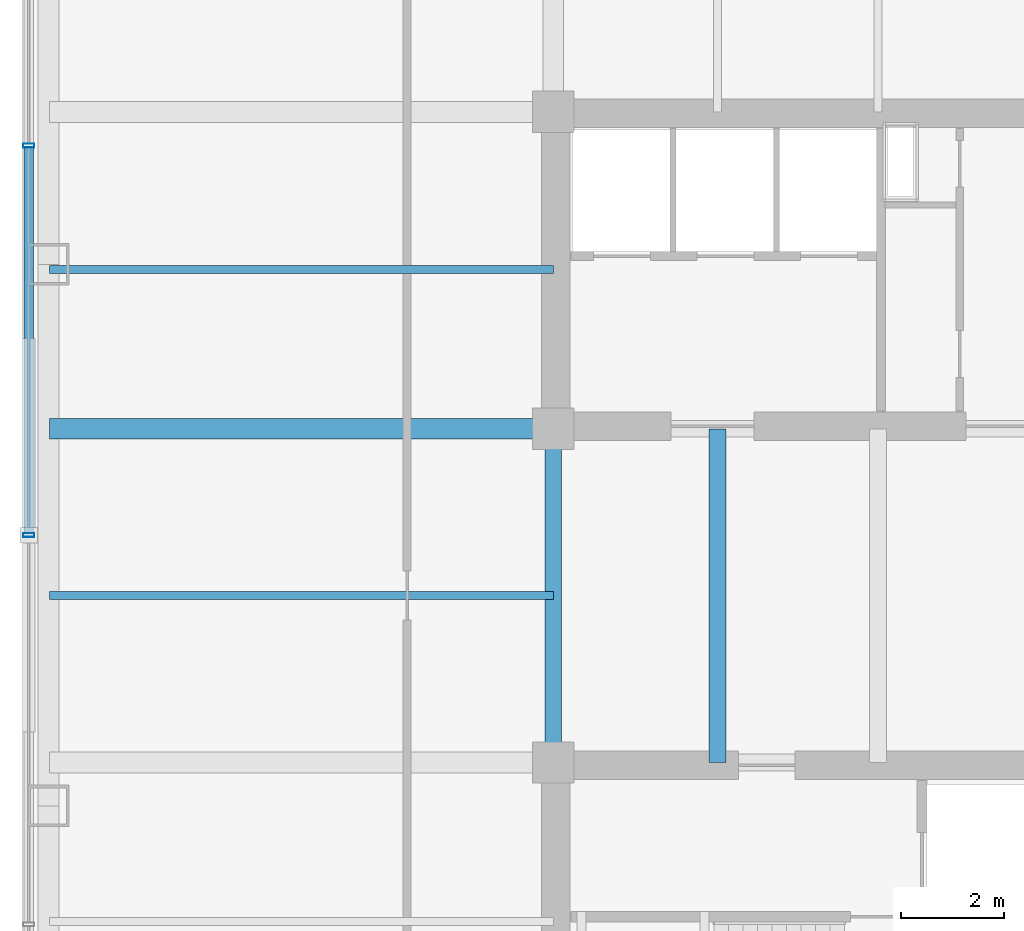
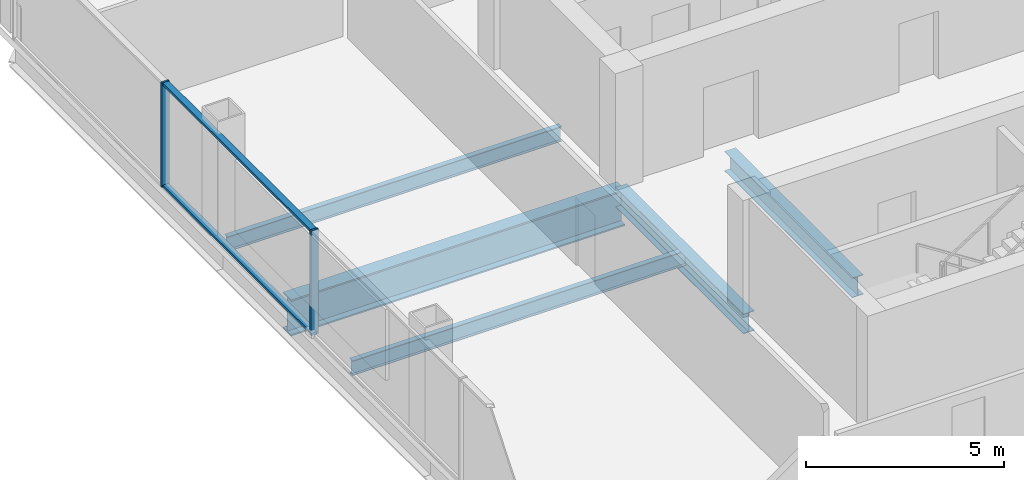
# One storey, part 7 of 24: 5 beams, 4 members, 1 element without a shape of its own.
"""IFC4 building model written with IfcOpenShell, lengths in metres."""

from ifc_helpers import new_model, si_unit, direction, frame, origin, origin_2d, place, context, subcontext, project, spatial, hollow_rectangle, i_section, extrude, material, layer, layer_set, material_profile, profile_set, type_object, element, aggregate, save


model = new_model("IFC4")

# Units and contexts
model_context = context("Model", 3, precision=1e-05, world=origin(), true_north=direction((0.0, 1.0)))
body_context = subcontext(model_context, "Body", "Model", "MODEL_VIEW")
ifc_project = project(units=[si_unit("LENGTHUNIT", "METRE"), si_unit("AREAUNIT", "SQUARE_METRE"), si_unit("VOLUMEUNIT", "CUBIC_METRE"), si_unit("PLANEANGLEUNIT", "RADIAN"), si_unit("MASSUNIT", "GRAM", prefix="KILO")], contexts=[model_context])

# Site, building, storey
site_placement = place(None, origin())
site = spatial("IfcSite", under=ifc_project, at=site_placement, CompositionType="ELEMENT")
building_placement = place(site_placement, origin())
building = spatial("IfcBuilding", under=site, at=building_placement, Name="Qhalaya Broadcast Tower", CompositionType="ELEMENT")
storey_placement = place(building_placement, frame((0.0, 0.0, 61.5)))
storey = spatial("IfcBuildingStorey", under=building, at=storey_placement, Name="L17", CompositionType="ELEMENT", Elevation=61.5)

# Beams
ifc_material_1 = material(Name="Structural Steel ASTM A992 Grade 50", Category="steel")
ifc_material_profile_1 = material_profile(ifc_material_1, i_section(OverallWidth=0.154052734375, OverallDepth=0.458984375, WebThickness=0.009033203125, FlangeThickness=0.015380859375, at=origin_2d()), Name="W18X46")
ifc_profile_set_1 = profile_set([ifc_material_profile_1], Name="Structural Steel ASTM A992 Grade 50")
beam_type_1 = type_object("IfcBeamType", Name="Composite Floor Joist J04", PredefinedType="JOIST", material=ifc_profile_set_1)
for number, where, z_axis, x_axis, name in (
    (1, (-19.110107421875, 0.60009765625, -0.449462890625), (1.0, 0.0, 0.0), (0.0, 1.0, 0.0), "L17 J04 L17-JWE4W-1"),
    (2, (-19.110107421875, 6.89990234375, -0.449462890625), (1.0, 0.0, 0.0), (0.0, 1.0, 0.0), "L17 J04 L17-JWE5W-1"),
):
    element("IfcBeam", number, at=place(storey_placement, frame(where, z_axis=z_axis, x_axis=x_axis)), inside=storey, type_object=beam_type_1, Name=name, PredefinedType="JOIST", context=body_context, shape_type="SweptSolid", body=[
        extrude(i_section(OverallWidth=0.154052734375, OverallDepth=0.458984375, WebThickness=0.009033203125, FlangeThickness=0.015380859375, at=origin_2d()), origin(), (0.0, 0.0, 1.0), 9.735107421875),
    ])
ifc_material_profile_2 = material_profile(ifc_material_1, i_section(OverallWidth=0.323974609375, OverallDepth=0.612060546875, WebThickness=0.0126953125, FlangeThickness=0.01904296875, at=origin_2d()), Name="W24X104")
ifc_profile_set_2 = profile_set([ifc_material_profile_2], Name="Structural Steel ASTM A992 Grade 50")
beam_type_2 = type_object("IfcBeamType", Name="Core Frame Tie Beam B04", PredefinedType="BEAM", material=ifc_profile_set_2)
for number, where, z_axis, x_axis, name in (
    (3, (-9.375, -2.625, -0.52587890625), (0.0, 1.0, 0.0), (-1.0, 0.0, 0.0), "L17 B04 L17-CCW"),
    (4, (-6.199951171875, -2.625, -0.52587890625), (0.0, 1.0, 0.0), (-1.0, 0.0, 0.0), "L17 B04 L17-JC1-1"),
):
    element("IfcBeam", number, at=place(storey_placement, frame(where, z_axis=z_axis, x_axis=x_axis)), inside=storey, type_object=beam_type_2, Name=name, PredefinedType="BEAM", context=body_context, shape_type="SweptSolid", body=[
        extrude(i_section(OverallWidth=0.323974609375, OverallDepth=0.612060546875, WebThickness=0.0126953125, FlangeThickness=0.01904296875, at=origin_2d()), origin(), (0.0, 0.0, 1.0), 6.449951171875),
    ])
ifc_material_profile_3 = material_profile(ifc_material_1, i_section(OverallWidth=0.404052734375, OverallDepth=1.117919921875, WebThickness=0.026123046875, FlangeThickness=0.044921875, at=origin_2d()), Name="W44X335")
ifc_profile_set_3 = profile_set([ifc_material_profile_3], Name="Structural Steel ASTM A992 Grade 50")
beam_type_3 = type_object("IfcBeamType", Name="Podium Long-Span Primary Girder PG1", PredefinedType="USERDEFINED", material=ifc_profile_set_3)
beam_placement = place(storey_placement, frame((-19.110107421875, 3.824951171875, -0.779052734375), z_axis=(1.0, 0.0, 0.0), x_axis=(0.0, 1.0, 0.0)))
element("IfcBeam", 5, at=beam_placement, inside=storey, type_object=beam_type_3, Name="L17 PG1 L17-PGYW3-1", ObjectType="GIRDER", PredefinedType="USERDEFINED", context=body_context, shape_type="SweptSolid", body=[
    extrude(i_section(OverallWidth=0.404052734375, OverallDepth=1.117919921875, WebThickness=0.026123046875, FlangeThickness=0.044921875, at=origin_2d()), origin(), (0.0, 0.0, 1.0), 9.735107421875),
])

# Curtain wall, members
ifc_material_2 = material(Name="Solar-Control Low-E Triple Glazing", Category="glass")
ifc_layer = layer(ifc_material_2, 0.219970703125, Name="Solar-Control Low-E Triple Glazing")
ifc_layer_set = layer_set([ifc_layer], Name="Solar-Control Low-E Triple Glazing")
curtain_wall_type = type_object("IfcCurtainWallType", Name="Recessed Sky-Garden Neck Ribbon Curtain Wall CW-05", PredefinedType="NOTDEFINED", material=ifc_layer_set)
curtain_wall_placement = place(storey_placement, origin())
curtain_wall = element("IfcCurtainWall", 6, at=curtain_wall_placement, inside=storey, type_object=curtain_wall_type, Name="L17 Unitised Curtain Wall L17-CW-W", PredefinedType="NOTDEFINED")
ifc_material_3 = material(Name="Anodised Aluminium 6063-T6", Category="aluminium")
ifc_material_profile_4 = material_profile(ifc_material_3, hollow_rectangle(XDim=0.074951171875, YDim=0.219970703125, WallThickness=0.00390625, at=origin_2d()), Name="ALU-MUL 75x220x4")
ifc_profile_set_4 = profile_set([ifc_material_profile_4], Name="Anodised Aluminium 6063-T6")
member_type_1 = type_object("IfcMemberType", Name="Unitised Curtain-Wall Mullion M01", PredefinedType="MULLION", material=ifc_profile_set_4)
member_1_placement = place(storey_placement, frame((-19.510009765625, 9.294921875, 0.0), z_axis=(0.0, 0.0, 1.0), x_axis=(0.0, -1.0, 0.0)))
member_1 = element("IfcMember", 7, at=member_1_placement, type_object=member_type_1, Name="CW-05 mullion 2", PredefinedType="MULLION", context=body_context, shape_type="SweptSolid", body=[
    extrude(hollow_rectangle(XDim=0.074951171875, YDim=0.219970703125, WallThickness=0.00390625, at=origin_2d()), origin(), (0.0, 0.0, 1.0), 3.219970703125),
])
member_2_placement = place(storey_placement, frame((-19.510009765625, 1.77001953125, 0.0), z_axis=(0.0, 0.0, 1.0), x_axis=(0.0, -1.0, 0.0)))
member_2 = element("IfcMember", 8, at=member_2_placement, type_object=member_type_1, Name="CW-05 mullion 3", PredefinedType="MULLION", context=body_context, shape_type="SweptSolid", body=[
    extrude(hollow_rectangle(XDim=0.074951171875, YDim=0.219970703125, WallThickness=0.00390625, at=origin_2d()), origin(), (0.0, 0.0, 1.0), 3.219970703125),
])
ifc_material_profile_5 = material_profile(ifc_material_3, hollow_rectangle(XDim=0.074951171875, YDim=0.179931640625, WallThickness=0.00390625, at=origin_2d()), Name="ALU-TRN 75x180x4")
ifc_profile_set_5 = profile_set([ifc_material_profile_5], Name="Anodised Aluminium 6063-T6")
member_type_2 = type_object("IfcMemberType", Name="Unitised Curtain-Wall Transom T01", PredefinedType="USERDEFINED", material=ifc_profile_set_5)
member_3_placement = place(storey_placement, frame((-19.510009765625, 9.257568359375, 0.03759765625), z_axis=(0.0, -1.0, 0.0), x_axis=(0.0, 0.0, 1.0)))
member_3 = element("IfcMember", 9, at=member_3_placement, type_object=member_type_2, Name="CW-05 transom 2.1", ObjectType="TRANSOM", PredefinedType="USERDEFINED", context=body_context, shape_type="SweptSolid", body=[
    extrude(hollow_rectangle(XDim=0.074951171875, YDim=0.179931640625, WallThickness=0.00390625, at=origin_2d()), origin(), (0.0, 0.0, 1.0), 7.449951171875),
])
member_4_placement = place(storey_placement, frame((-19.510009765625, 9.257568359375, 3.1826171875), z_axis=(0.0, -1.0, 0.0), x_axis=(0.0, 0.0, 1.0)))
member_4 = element("IfcMember", 10, at=member_4_placement, type_object=member_type_2, Name="CW-05 transom 2.2", ObjectType="TRANSOM", PredefinedType="USERDEFINED", context=body_context, shape_type="SweptSolid", body=[
    extrude(hollow_rectangle(XDim=0.074951171875, YDim=0.179931640625, WallThickness=0.00390625, at=origin_2d()), origin(), (0.0, 0.0, 1.0), 7.449951171875),
])
aggregate(curtain_wall, [member_1, member_2, member_3, member_4])

save(model, "model.ifc")
